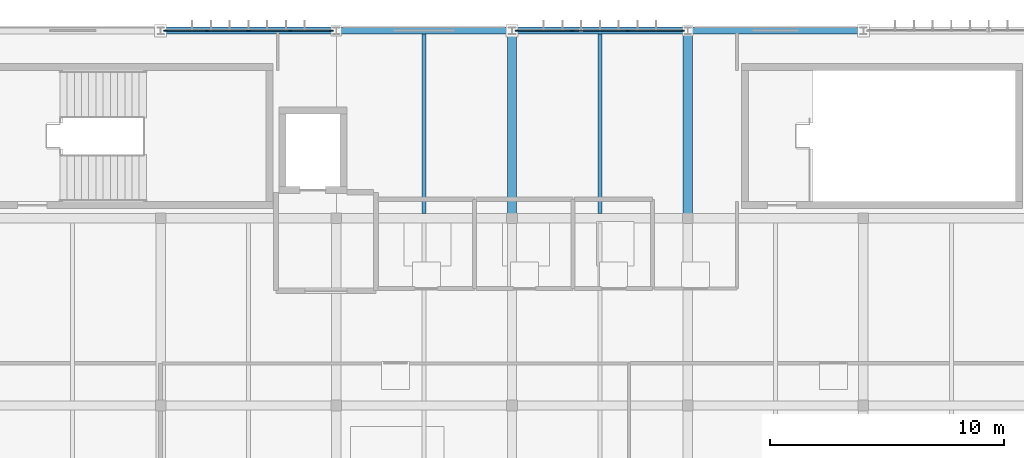
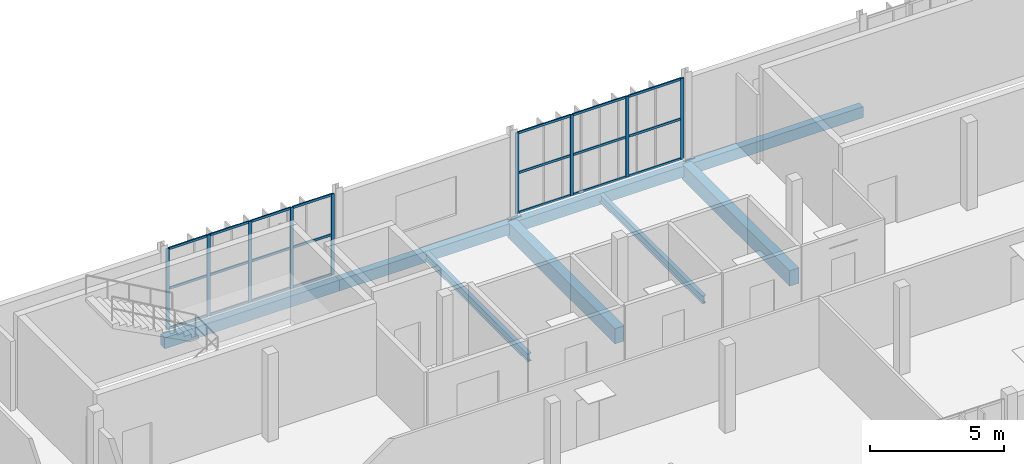
# One storey, part 13 of 26: 30 members, 8 beams, 2 elements without a shape of their own.
"""IFC4 building model written with IfcOpenShell, lengths in metres."""

from ifc_helpers import new_model, si_unit, direction, frame, origin, origin_2d, place, context, subcontext, project, spatial, rectangle, i_section, extrude, material, material_profile, profile_set, type_object, element, aggregate, save


model = new_model("IFC4")

# Units and contexts
model_context = context("Model", 3, precision=1e-05, world=origin(), true_north=direction((0.0, 1.0)))
body_context = subcontext(model_context, "Body", "Model", "MODEL_VIEW")
ifc_project = project(units=[si_unit("LENGTHUNIT", "METRE"), si_unit("AREAUNIT", "SQUARE_METRE"), si_unit("VOLUMEUNIT", "CUBIC_METRE"), si_unit("PLANEANGLEUNIT", "RADIAN"), si_unit("MASSUNIT", "GRAM", prefix="KILO")], contexts=[model_context])

# Site, building, storey
site_placement = place(None, origin())
site = spatial("IfcSite", under=ifc_project, at=site_placement, CompositionType="ELEMENT")
building_placement = place(site_placement, origin())
building = spatial("IfcBuilding", under=site, at=building_placement, Name="Vourika Railside Aquatics Centre", CompositionType="ELEMENT")
storey_placement = place(building_placement, frame((0.0, 0.0, 17.699951171875)))
storey = spatial("IfcBuildingStorey", under=building, at=storey_placement, Name="L04", CompositionType="ELEMENT", Elevation=17.699951171875)

# Beams
ifc_material_1 = material(Name="Concrete C35/45", Category="concrete")
ifc_material_profile_1 = material_profile(ifc_material_1, rectangle(XDim=0.39990234375, YDim=0.699951171875, at=origin_2d()), Name="RC 400x700")
ifc_profile_set_1 = profile_set([ifc_material_profile_1], Name="Concrete C35/45")
beam_type_1 = type_object("IfcBeamType", Name="BM-GIRD-400x700", PredefinedType="BEAM", material=ifc_profile_set_1)
for number, where, z_axis, x_axis, name in (
    (1, (66.0, 108.0, -0.58984375), (0.0, 1.0, 0.0), (-1.0, 0.0, 0.0), "Floor Girder GY-L04-081"),
    (2, (73.5, 108.0, -0.58984375), (0.0, 1.0, 0.0), (-1.0, 0.0, 0.0), "Floor Girder GY-L04-084"),
):
    element("IfcBeam", number, at=place(storey_placement, frame(where, z_axis=z_axis, x_axis=x_axis)), inside=storey, type_object=beam_type_1, Name=name, PredefinedType="BEAM", context=body_context, shape_type="SweptSolid", body=[
        extrude(rectangle(XDim=0.39990234375, YDim=0.699951171875, at=origin_2d()), origin(), (0.0, 0.0, 1.0), 8.0),
    ])
ifc_material_profile_2 = material_profile(ifc_material_1, rectangle(XDim=0.300048828125, YDim=0.5, at=origin_2d()), Name="RC 300x500")
ifc_profile_set_2 = profile_set([ifc_material_profile_2], Name="Concrete C35/45")
beam_type_2 = type_object("IfcBeamType", Name="BM-SPAN-300x500", PredefinedType="SPANDREL", material=ifc_profile_set_2)
for number, where, z_axis, x_axis, name in (
    (3, (51.0, 116.0, -0.489990234375), (1.0, 0.0, 0.0), (0.0, 1.0, 0.0), "Floor Beam GX-L04-046"),
    (4, (58.5, 116.0, -0.489990234375), (1.0, 0.0, 0.0), (0.0, 1.0, 0.0), "Floor Beam GX-L04-047"),
    (5, (66.0, 116.0, -0.489990234375), (1.0, 0.0, 0.0), (0.0, 1.0, 0.0), "Floor Beam GX-L04-048"),
    (6, (73.5, 116.0, -0.489990234375), (1.0, 0.0, 0.0), (0.0, 1.0, 0.0), "Floor Beam GX-L04-049"),
):
    element("IfcBeam", number, at=place(storey_placement, frame(where, z_axis=z_axis, x_axis=x_axis)), inside=storey, type_object=beam_type_2, Name=name, PredefinedType="SPANDREL", context=body_context, shape_type="SweptSolid", body=[
        extrude(rectangle(XDim=0.300048828125, YDim=0.5, at=origin_2d()), origin(), (0.0, 0.0, 1.0), 7.5),
    ])
ifc_material_2 = material(Name="Steel S355J2", Category="steel")
ifc_material_profile_3 = material_profile(ifc_material_2, i_section(OverallWidth=0.169921875, OverallDepth=0.360107421875, WebThickness=0.008056640625, FlangeThickness=0.0126953125, at=origin_2d()), Name="IPE 360")
ifc_profile_set_3 = profile_set([ifc_material_profile_3], Name="Steel S355J2")
beam_type_3 = type_object("IfcBeamType", Name="BM-STL-IPE360", PredefinedType="JOIST", material=ifc_profile_set_3)
for number, where, z_axis, x_axis, name in (
    (7, (62.25, 108.199951171875, -0.419921875), (0.0, 1.0, 0.0), (-1.0, 0.0, 0.0), "Secondary Joist JY-L04-129"),
    (8, (69.75, 108.199951171875, -0.419921875), (0.0, 1.0, 0.0), (-1.0, 0.0, 0.0), "Secondary Joist JY-L04-130"),
):
    element("IfcBeam", number, at=place(storey_placement, frame(where, z_axis=z_axis, x_axis=x_axis)), inside=storey, type_object=beam_type_3, Name=name, PredefinedType="JOIST", context=body_context, shape_type="SweptSolid", body=[
        extrude(i_section(OverallWidth=0.169921875, OverallDepth=0.360107421875, WebThickness=0.008056640625, FlangeThickness=0.0126953125, at=origin_2d()), origin(), (0.0, 0.0, 1.0), 7.650146484375),
    ])

# Curtain wall, members
ifc_material_3 = material(Name="Anodized thermally broken aluminium", Category="aluminium")
curtain_wall_type = type_object("IfcCurtainWallType", Name="CW-FIT4", PredefinedType="NOTDEFINED", material=ifc_material_3)
curtain_wall_1_placement = place(storey_placement, origin())
curtain_wall_1 = element("IfcCurtainWall", 9, at=curtain_wall_1_placement, inside=storey, type_object=curtain_wall_type, Name="North Boulevard Curtain Wall L04-5", PredefinedType="NOTDEFINED")
ifc_material_4 = material(Name="Anodized aluminium mullion", Category="aluminium")
ifc_material_profile_4 = material_profile(ifc_material_4, rectangle(XDim=0.054931640625, YDim=0.135009765625, at=origin_2d()), Name="ALU-M 55x135")
ifc_profile_set_4 = profile_set([ifc_material_profile_4], Name="Anodized aluminium mullion")
member_type_1 = type_object("IfcMemberType", Name="CWM-FIT4", PredefinedType="MULLION", material=ifc_profile_set_4)
member_1_placement = place(storey_placement, frame((58.29248046875, 116.0, 0.0), z_axis=(0.0, 0.0, 1.0), x_axis=(0.0, -1.0, 0.0)))
member_1 = element("IfcMember", 10, at=member_1_placement, type_object=member_type_1, Name="CW18 mullion 1", PredefinedType="MULLION", context=body_context, shape_type="SweptSolid", body=[
    extrude(rectangle(XDim=0.054931640625, YDim=0.135009765625, at=origin_2d()), origin(), (0.0, 0.0, 1.0), 3.670166015625),
])
member_2_placement = place(storey_placement, frame((56.534912109375, 116.0, 0.0), z_axis=(0.0, 0.0, 1.0), x_axis=(0.0, -1.0, 0.0)))
member_2 = element("IfcMember", 11, at=member_2_placement, type_object=member_type_1, Name="CW18 mullion 2", PredefinedType="MULLION", context=body_context, shape_type="SweptSolid", body=[
    extrude(rectangle(XDim=0.054931640625, YDim=0.135009765625, at=origin_2d()), origin(), (0.0, 0.0, 1.0), 3.670166015625),
])
member_3_placement = place(storey_placement, frame((54.75, 116.0, 0.0), z_axis=(0.0, 0.0, 1.0), x_axis=(0.0, -1.0, 0.0)))
member_3 = element("IfcMember", 12, at=member_3_placement, type_object=member_type_1, Name="CW18 mullion 3", PredefinedType="MULLION", context=body_context, shape_type="SweptSolid", body=[
    extrude(rectangle(XDim=0.054931640625, YDim=0.135009765625, at=origin_2d()), origin(), (0.0, 0.0, 1.0), 3.670166015625),
])
member_4_placement = place(storey_placement, frame((52.965087890625, 116.0, 0.0), z_axis=(0.0, 0.0, 1.0), x_axis=(0.0, -1.0, 0.0)))
member_4 = element("IfcMember", 13, at=member_4_placement, type_object=member_type_1, Name="CW18 mullion 4", PredefinedType="MULLION", context=body_context, shape_type="SweptSolid", body=[
    extrude(rectangle(XDim=0.054931640625, YDim=0.135009765625, at=origin_2d()), origin(), (0.0, 0.0, 1.0), 3.670166015625),
])
member_5_placement = place(storey_placement, frame((51.20751953125, 116.0, 0.0), z_axis=(0.0, 0.0, 1.0), x_axis=(0.0, -1.0, 0.0)))
member_5 = element("IfcMember", 14, at=member_5_placement, type_object=member_type_1, Name="CW18 mullion 5", PredefinedType="MULLION", context=body_context, shape_type="SweptSolid", body=[
    extrude(rectangle(XDim=0.054931640625, YDim=0.135009765625, at=origin_2d()), origin(), (0.0, 0.0, 1.0), 3.670166015625),
])

curtain_wall_2_placement = place(storey_placement, origin())
curtain_wall_2 = element("IfcCurtainWall", 15, at=curtain_wall_2_placement, inside=storey, type_object=curtain_wall_type, Name="North Boulevard Curtain Wall L04-7", PredefinedType="NOTDEFINED")
member_6_placement = place(storey_placement, frame((73.29248046875, 116.0, 0.0), z_axis=(0.0, 0.0, 1.0), x_axis=(0.0, -1.0, 0.0)))
member_6 = element("IfcMember", 16, at=member_6_placement, type_object=member_type_1, Name="CW18 mullion 1", PredefinedType="MULLION", context=body_context, shape_type="SweptSolid", body=[
    extrude(rectangle(XDim=0.054931640625, YDim=0.135009765625, at=origin_2d()), origin(), (0.0, 0.0, 1.0), 3.670166015625),
])
member_7_placement = place(storey_placement, frame((70.93994140625, 116.0, 0.0), z_axis=(0.0, 0.0, 1.0), x_axis=(0.0, -1.0, 0.0)))
member_7 = element("IfcMember", 17, at=member_7_placement, type_object=member_type_1, Name="CW18 mullion 2", PredefinedType="MULLION", context=body_context, shape_type="SweptSolid", body=[
    extrude(rectangle(XDim=0.054931640625, YDim=0.135009765625, at=origin_2d()), origin(), (0.0, 0.0, 1.0), 3.670166015625),
])
member_8_placement = place(storey_placement, frame((68.56005859375, 116.0, 0.0), z_axis=(0.0, 0.0, 1.0), x_axis=(0.0, -1.0, 0.0)))
member_8 = element("IfcMember", 18, at=member_8_placement, type_object=member_type_1, Name="CW18 mullion 3", PredefinedType="MULLION", context=body_context, shape_type="SweptSolid", body=[
    extrude(rectangle(XDim=0.054931640625, YDim=0.135009765625, at=origin_2d()), origin(), (0.0, 0.0, 1.0), 3.670166015625),
])
member_9_placement = place(storey_placement, frame((66.20751953125, 116.0, 0.0), z_axis=(0.0, 0.0, 1.0), x_axis=(0.0, -1.0, 0.0)))
member_9 = element("IfcMember", 19, at=member_9_placement, type_object=member_type_1, Name="CW18 mullion 4", PredefinedType="MULLION", context=body_context, shape_type="SweptSolid", body=[
    extrude(rectangle(XDim=0.054931640625, YDim=0.135009765625, at=origin_2d()), origin(), (0.0, 0.0, 1.0), 3.670166015625),
])

# Member
ifc_material_5 = material(Name="Anodized aluminium transom", Category="aluminium")
ifc_material_profile_5 = material_profile(ifc_material_5, rectangle(XDim=0.054931640625, YDim=0.10595703125, at=origin_2d()), Name="ALU-T 55x106")
ifc_profile_set_5 = profile_set([ifc_material_profile_5], Name="Anodized aluminium transom")
member_type_2 = type_object("IfcMemberType", Name="CWT-FIT4", PredefinedType="USERDEFINED", material=ifc_profile_set_5)
member_10_placement = place(storey_placement, frame((58.264892578125, 116.0, 0.027587890625), z_axis=(-1.0, 0.0, 0.0), x_axis=(0.0, -1.0, 0.0)))
member_10 = element("IfcMember", 20, at=member_10_placement, type_object=member_type_2, Name="CW18 transom 1.1", ObjectType="TRANSOM", PredefinedType="USERDEFINED", context=body_context, shape_type="SweptSolid", body=[
    extrude(rectangle(XDim=0.054931640625, YDim=0.10595703125, at=origin_2d()), origin(), (0.0, 0.0, 1.0), 1.702392578125),
])

member_11_placement = place(storey_placement, frame((58.264892578125, 116.0, 1.8349609375), z_axis=(-1.0, 0.0, 0.0), x_axis=(0.0, -1.0, 0.0)))
member_11 = element("IfcMember", 21, at=member_11_placement, type_object=member_type_2, Name="CW18 transom 1.2", ObjectType="TRANSOM", PredefinedType="USERDEFINED", context=body_context, shape_type="SweptSolid", body=[
    extrude(rectangle(XDim=0.054931640625, YDim=0.10595703125, at=origin_2d()), origin(), (0.0, 0.0, 1.0), 1.702392578125),
])

member_12_placement = place(storey_placement, frame((58.264892578125, 116.0, 3.642578125), z_axis=(-1.0, 0.0, 0.0), x_axis=(0.0, -1.0, 0.0)))
member_12 = element("IfcMember", 22, at=member_12_placement, type_object=member_type_2, Name="CW18 transom 1.3", ObjectType="TRANSOM", PredefinedType="USERDEFINED", context=body_context, shape_type="SweptSolid", body=[
    extrude(rectangle(XDim=0.054931640625, YDim=0.10595703125, at=origin_2d()), origin(), (0.0, 0.0, 1.0), 1.702392578125),
])

member_13_placement = place(storey_placement, frame((56.507568359375, 116.0, 0.027587890625), z_axis=(-1.0, 0.0, 0.0), x_axis=(0.0, -1.0, 0.0)))
member_13 = element("IfcMember", 23, at=member_13_placement, type_object=member_type_2, Name="CW18 transom 2.1", ObjectType="TRANSOM", PredefinedType="USERDEFINED", context=body_context, shape_type="SweptSolid", body=[
    extrude(rectangle(XDim=0.054931640625, YDim=0.10595703125, at=origin_2d()), origin(), (0.0, 0.0, 1.0), 1.72998046875),
])

member_14_placement = place(storey_placement, frame((56.507568359375, 116.0, 1.8349609375), z_axis=(-1.0, 0.0, 0.0), x_axis=(0.0, -1.0, 0.0)))
member_14 = element("IfcMember", 24, at=member_14_placement, type_object=member_type_2, Name="CW18 transom 2.2", ObjectType="TRANSOM", PredefinedType="USERDEFINED", context=body_context, shape_type="SweptSolid", body=[
    extrude(rectangle(XDim=0.054931640625, YDim=0.10595703125, at=origin_2d()), origin(), (0.0, 0.0, 1.0), 1.72998046875),
])

member_15_placement = place(storey_placement, frame((56.507568359375, 116.0, 3.642578125), z_axis=(-1.0, 0.0, 0.0), x_axis=(0.0, -1.0, 0.0)))
member_15 = element("IfcMember", 25, at=member_15_placement, type_object=member_type_2, Name="CW18 transom 2.3", ObjectType="TRANSOM", PredefinedType="USERDEFINED", context=body_context, shape_type="SweptSolid", body=[
    extrude(rectangle(XDim=0.054931640625, YDim=0.10595703125, at=origin_2d()), origin(), (0.0, 0.0, 1.0), 1.72998046875),
])

member_16_placement = place(storey_placement, frame((54.722412109375, 116.0, 0.027587890625), z_axis=(-1.0, 0.0, 0.0), x_axis=(0.0, -1.0, 0.0)))
member_16 = element("IfcMember", 26, at=member_16_placement, type_object=member_type_2, Name="CW18 transom 3.1", ObjectType="TRANSOM", PredefinedType="USERDEFINED", context=body_context, shape_type="SweptSolid", body=[
    extrude(rectangle(XDim=0.054931640625, YDim=0.10595703125, at=origin_2d()), origin(), (0.0, 0.0, 1.0), 1.72998046875),
])

member_17_placement = place(storey_placement, frame((54.722412109375, 116.0, 1.8349609375), z_axis=(-1.0, 0.0, 0.0), x_axis=(0.0, -1.0, 0.0)))
member_17 = element("IfcMember", 27, at=member_17_placement, type_object=member_type_2, Name="CW18 transom 3.2", ObjectType="TRANSOM", PredefinedType="USERDEFINED", context=body_context, shape_type="SweptSolid", body=[
    extrude(rectangle(XDim=0.054931640625, YDim=0.10595703125, at=origin_2d()), origin(), (0.0, 0.0, 1.0), 1.72998046875),
])

member_18_placement = place(storey_placement, frame((54.722412109375, 116.0, 3.642578125), z_axis=(-1.0, 0.0, 0.0), x_axis=(0.0, -1.0, 0.0)))
member_18 = element("IfcMember", 28, at=member_18_placement, type_object=member_type_2, Name="CW18 transom 3.3", ObjectType="TRANSOM", PredefinedType="USERDEFINED", context=body_context, shape_type="SweptSolid", body=[
    extrude(rectangle(XDim=0.054931640625, YDim=0.10595703125, at=origin_2d()), origin(), (0.0, 0.0, 1.0), 1.72998046875),
])

member_19_placement = place(storey_placement, frame((52.9375, 116.0, 0.027587890625), z_axis=(-1.0, 0.0, 0.0), x_axis=(0.0, -1.0, 0.0)))
member_19 = element("IfcMember", 29, at=member_19_placement, type_object=member_type_2, Name="CW18 transom 4.1", ObjectType="TRANSOM", PredefinedType="USERDEFINED", context=body_context, shape_type="SweptSolid", body=[
    extrude(rectangle(XDim=0.054931640625, YDim=0.10595703125, at=origin_2d()), origin(), (0.0, 0.0, 1.0), 1.702392578125),
])

member_20_placement = place(storey_placement, frame((52.9375, 116.0, 1.8349609375), z_axis=(-1.0, 0.0, 0.0), x_axis=(0.0, -1.0, 0.0)))
member_20 = element("IfcMember", 30, at=member_20_placement, type_object=member_type_2, Name="CW18 transom 4.2", ObjectType="TRANSOM", PredefinedType="USERDEFINED", context=body_context, shape_type="SweptSolid", body=[
    extrude(rectangle(XDim=0.054931640625, YDim=0.10595703125, at=origin_2d()), origin(), (0.0, 0.0, 1.0), 1.702392578125),
])

member_21_placement = place(storey_placement, frame((52.9375, 116.0, 3.642578125), z_axis=(-1.0, 0.0, 0.0), x_axis=(0.0, -1.0, 0.0)))
member_21 = element("IfcMember", 31, at=member_21_placement, type_object=member_type_2, Name="CW18 transom 4.3", ObjectType="TRANSOM", PredefinedType="USERDEFINED", context=body_context, shape_type="SweptSolid", body=[
    extrude(rectangle(XDim=0.054931640625, YDim=0.10595703125, at=origin_2d()), origin(), (0.0, 0.0, 1.0), 1.702392578125),
])

aggregate(curtain_wall_1, [member_1, member_2, member_3, member_4, member_5, member_10, member_11, member_12, member_13, member_14, member_15, member_16, member_17, member_18, member_19, member_20, member_21])

member_22_placement = place(storey_placement, frame((73.264892578125, 116.0, 0.027587890625), z_axis=(-1.0, 0.0, 0.0), x_axis=(0.0, -1.0, 0.0)))
member_22 = element("IfcMember", 32, at=member_22_placement, type_object=member_type_2, Name="CW18 transom 1.1", ObjectType="TRANSOM", PredefinedType="USERDEFINED", context=body_context, shape_type="SweptSolid", body=[
    extrude(rectangle(XDim=0.054931640625, YDim=0.10595703125, at=origin_2d()), origin(), (0.0, 0.0, 1.0), 2.29736328125),
])

member_23_placement = place(storey_placement, frame((73.264892578125, 116.0, 1.8349609375), z_axis=(-1.0, 0.0, 0.0), x_axis=(0.0, -1.0, 0.0)))
member_23 = element("IfcMember", 33, at=member_23_placement, type_object=member_type_2, Name="CW18 transom 1.2", ObjectType="TRANSOM", PredefinedType="USERDEFINED", context=body_context, shape_type="SweptSolid", body=[
    extrude(rectangle(XDim=0.054931640625, YDim=0.10595703125, at=origin_2d()), origin(), (0.0, 0.0, 1.0), 2.29736328125),
])

member_24_placement = place(storey_placement, frame((73.264892578125, 116.0, 3.642578125), z_axis=(-1.0, 0.0, 0.0), x_axis=(0.0, -1.0, 0.0)))
member_24 = element("IfcMember", 34, at=member_24_placement, type_object=member_type_2, Name="CW18 transom 1.3", ObjectType="TRANSOM", PredefinedType="USERDEFINED", context=body_context, shape_type="SweptSolid", body=[
    extrude(rectangle(XDim=0.054931640625, YDim=0.10595703125, at=origin_2d()), origin(), (0.0, 0.0, 1.0), 2.29736328125),
])

member_25_placement = place(storey_placement, frame((70.91259765625, 116.0, 0.027587890625), z_axis=(-1.0, 0.0, 0.0), x_axis=(0.0, -1.0, 0.0)))
member_25 = element("IfcMember", 35, at=member_25_placement, type_object=member_type_2, Name="CW18 transom 2.1", ObjectType="TRANSOM", PredefinedType="USERDEFINED", context=body_context, shape_type="SweptSolid", body=[
    extrude(rectangle(XDim=0.054931640625, YDim=0.10595703125, at=origin_2d()), origin(), (0.0, 0.0, 1.0), 2.3251953125),
])

member_26_placement = place(storey_placement, frame((70.91259765625, 116.0, 1.8349609375), z_axis=(-1.0, 0.0, 0.0), x_axis=(0.0, -1.0, 0.0)))
member_26 = element("IfcMember", 36, at=member_26_placement, type_object=member_type_2, Name="CW18 transom 2.2", ObjectType="TRANSOM", PredefinedType="USERDEFINED", context=body_context, shape_type="SweptSolid", body=[
    extrude(rectangle(XDim=0.054931640625, YDim=0.10595703125, at=origin_2d()), origin(), (0.0, 0.0, 1.0), 2.3251953125),
])

member_27_placement = place(storey_placement, frame((70.91259765625, 116.0, 3.642578125), z_axis=(-1.0, 0.0, 0.0), x_axis=(0.0, -1.0, 0.0)))
member_27 = element("IfcMember", 37, at=member_27_placement, type_object=member_type_2, Name="CW18 transom 2.3", ObjectType="TRANSOM", PredefinedType="USERDEFINED", context=body_context, shape_type="SweptSolid", body=[
    extrude(rectangle(XDim=0.054931640625, YDim=0.10595703125, at=origin_2d()), origin(), (0.0, 0.0, 1.0), 2.3251953125),
])

member_28_placement = place(storey_placement, frame((68.532470703125, 116.0, 0.027587890625), z_axis=(-1.0, 0.0, 0.0), x_axis=(0.0, -1.0, 0.0)))
member_28 = element("IfcMember", 38, at=member_28_placement, type_object=member_type_2, Name="CW18 transom 3.1", ObjectType="TRANSOM", PredefinedType="USERDEFINED", context=body_context, shape_type="SweptSolid", body=[
    extrude(rectangle(XDim=0.054931640625, YDim=0.10595703125, at=origin_2d()), origin(), (0.0, 0.0, 1.0), 2.29736328125),
])

member_29_placement = place(storey_placement, frame((68.532470703125, 116.0, 1.8349609375), z_axis=(-1.0, 0.0, 0.0), x_axis=(0.0, -1.0, 0.0)))
member_29 = element("IfcMember", 39, at=member_29_placement, type_object=member_type_2, Name="CW18 transom 3.2", ObjectType="TRANSOM", PredefinedType="USERDEFINED", context=body_context, shape_type="SweptSolid", body=[
    extrude(rectangle(XDim=0.054931640625, YDim=0.10595703125, at=origin_2d()), origin(), (0.0, 0.0, 1.0), 2.29736328125),
])

member_30_placement = place(storey_placement, frame((68.532470703125, 116.0, 3.642578125), z_axis=(-1.0, 0.0, 0.0), x_axis=(0.0, -1.0, 0.0)))
member_30 = element("IfcMember", 40, at=member_30_placement, type_object=member_type_2, Name="CW18 transom 3.3", ObjectType="TRANSOM", PredefinedType="USERDEFINED", context=body_context, shape_type="SweptSolid", body=[
    extrude(rectangle(XDim=0.054931640625, YDim=0.10595703125, at=origin_2d()), origin(), (0.0, 0.0, 1.0), 2.29736328125),
])

aggregate(curtain_wall_2, [member_6, member_7, member_8, member_9, member_22, member_23, member_24, member_25, member_26, member_27, member_28, member_29, member_30])

save(model, "model.ifc")
